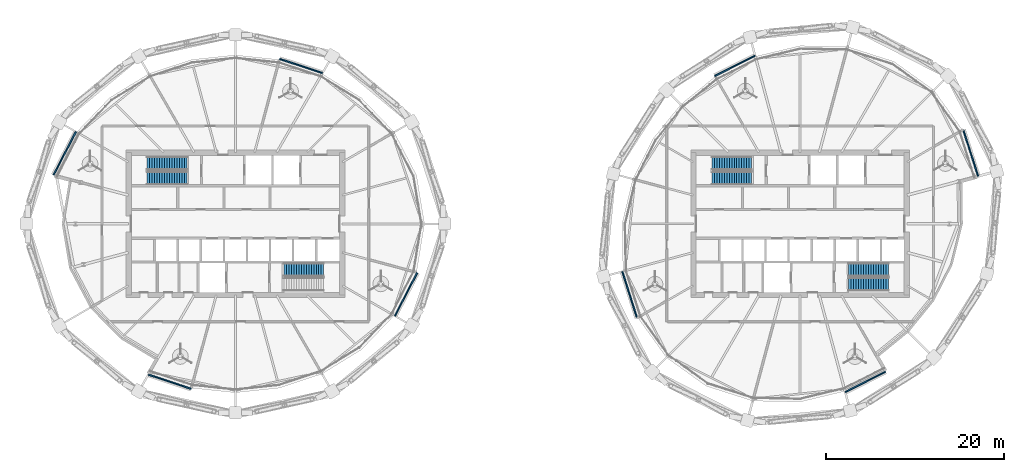
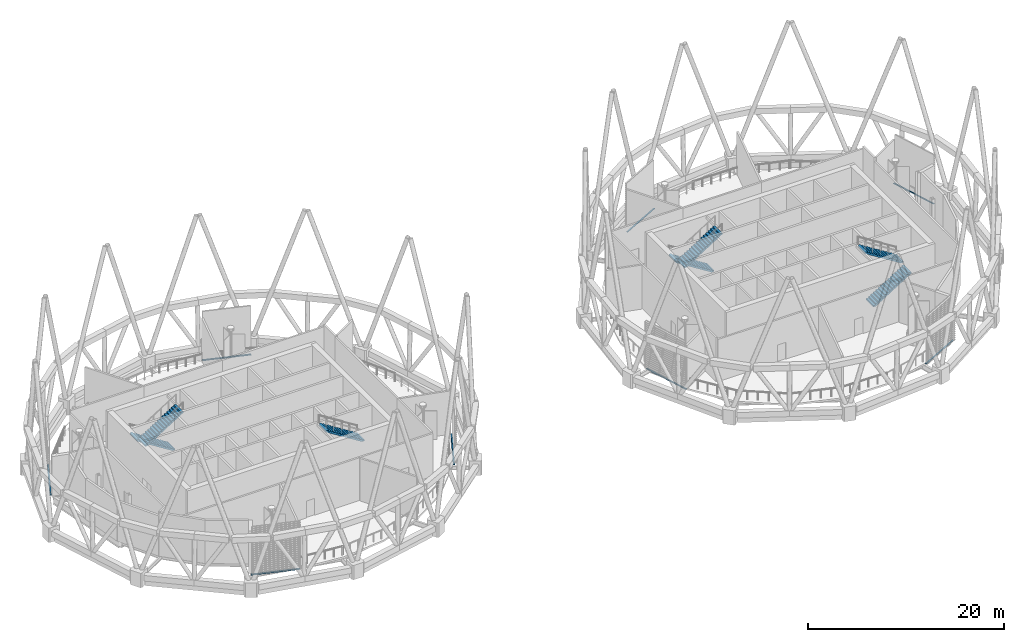
# One storey, part 14 of 22: 8 discrete accessories, 7 stair flights, 4 elements without a shape of their own.
"""IFC4 building model written with IfcOpenShell, lengths in metres."""

import ifcopenshell
import ifcopenshell.guid

model = None  # the IFC model being written
_history = None  # IfcOwnerHistory: only IFC2X3 demands one
_inside = {}  # id of a spatial element -> (the spatial element, [elements in it])
_under = {}  # id of a project, library or spatial element -> (it, [spatial elements below it])
_declared = {}  # id of a project -> (the project, [libraries it declares])
_typed = {}  # id of a type object -> (the type object, [elements of that type])
_made_of = {}  # id of a material, layer set ... -> (it, [elements and type objects made of it])


def new_model(schema):
    """Start an empty IFC model of exactly this schema.

    Asked for "IFC4X3", IfcOpenShell would pick the latest addendum, in which some entities
    have other attributes; the version numbers below select the first issue.
    IFC2X3 requires an IfcOwnerHistory on every rooted entity: one is made here for all.
    """
    global model, _history
    if schema == "IFC4X3":
        model = ifcopenshell.file(schema_version=(4, 3, 0, 0))
    else:
        model = ifcopenshell.file(schema=schema)
    _inside.clear()
    _under.clear()
    _declared.clear()
    _typed.clear()
    _made_of.clear()
    _history = None
    if model.schema == "IFC2X3":
        org = make("IfcOrganization", Name="unknown")
        user = make(
            "IfcPersonAndOrganization",
            ThePerson=make("IfcPerson", FamilyName="unknown"),
            TheOrganization=org,
        )
        app = make(
            "IfcApplication",
            ApplicationDeveloper=org,
            Version="unknown",
            ApplicationFullName="unknown",
            ApplicationIdentifier="unknown",
        )
        _history = make(
            "IfcOwnerHistory",
            OwningUser=user,
            OwningApplication=app,
            ChangeAction="ADDED",
            CreationDate=0,
        )
    return model


def make(cls, **values):
    """One entity of the class cls with the attributes given. An attribute that is None is left unset."""
    return model.create_entity(
        cls, **{name: value for name, value in values.items() if value is not None}
    )


def rooted(cls, **values):
    """An entity with a GlobalId (a new one), such as an element, a storey or a relation."""
    return make(cls, GlobalId=ifcopenshell.guid.new(), OwnerHistory=_history, **values)


def si_unit(unit_type, name, prefix=None):
    """IfcSIUnit, for example si_unit("LENGTHUNIT", "METRE", prefix="MILLI")."""
    return make("IfcSIUnit", UnitType=unit_type, Prefix=prefix, Name=name)


def assignment(units):
    """IfcUnitAssignment: the units of a project."""
    return None if units is None else make("IfcUnitAssignment", Units=units)


def point(xyz):
    """IfcCartesianPoint."""
    return None if xyz is None else make("IfcCartesianPoint", Coordinates=xyz)


def direction(xyz):
    """IfcDirection."""
    return None if xyz is None else make("IfcDirection", DirectionRatios=xyz)


def frame(location, z_axis=None, x_axis=None):
    """IfcAxis2Placement3D, a coordinate frame: its origin and axes. An axis left out is left unset."""
    return make(
        "IfcAxis2Placement3D",
        Location=point(location),
        Axis=direction(z_axis),
        RefDirection=direction(x_axis),
    )


def origin():
    """The frame at (0, 0, 0) with its axes left unset."""
    return frame((0.0, 0.0, 0.0))


def place(relative_to, where):
    """IfcLocalPlacement: puts the frame where relative to a parent placement (None: the world)."""
    return make(
        "IfcLocalPlacement", PlacementRelTo=relative_to, RelativePlacement=where
    )


def context(
    kind, dimensions, precision=None, world=None, true_north=None, identifier=None
):
    """IfcGeometricRepresentationContext, for example the 3D "Model" context."""
    return make(
        "IfcGeometricRepresentationContext",
        ContextIdentifier=identifier,
        ContextType=kind,
        CoordinateSpaceDimension=dimensions,
        Precision=precision,
        WorldCoordinateSystem=world,
        TrueNorth=true_north,
    )


def subcontext(parent, identifier, kind, view, scale=None):
    """IfcGeometricRepresentationSubContext, for example "Body" below "Model"."""
    return make(
        "IfcGeometricRepresentationSubContext",
        ContextIdentifier=identifier,
        ContextType=kind,
        ParentContext=parent,
        TargetScale=scale,
        TargetView=view,
    )


def project(units=None, contexts=None):
    """IfcProject with its units and contexts."""
    return rooted(
        "IfcProject",
        Name="project",
        RepresentationContexts=contexts,
        UnitsInContext=assignment(units),
    )


def spatial(cls, under=None, at=None, **own):
    """A site, building, storey or space (cls), placed at a placement, below another one or the project."""
    s = rooted(cls, ObjectPlacement=at, **own)
    if under is not None:
        _under.setdefault(under.id(), (under, []))[1].append(s)
    return s


def polyline(points):
    """IfcPolyline through the points."""
    return make("IfcPolyline", Points=[point(p) for p in points])


def outline(outer, holes=None, kind="AREA"):
    """IfcArbitraryClosedProfileDef: a profile drawn as a closed curve; with holes, ...WithVoids."""
    if holes is None:
        return make("IfcArbitraryClosedProfileDef", ProfileType=kind, OuterCurve=outer)
    return make(
        "IfcArbitraryProfileDefWithVoids",
        ProfileType=kind,
        OuterCurve=outer,
        InnerCurves=holes,
    )


def extrude(swept, where, along, depth):
    """IfcExtrudedAreaSolid: the profile swept, set in the frame where, extruded along a direction by depth."""
    return make(
        "IfcExtrudedAreaSolid",
        SweptArea=swept,
        Position=where,
        ExtrudedDirection=direction(along),
        Depth=depth,
    )


def shape(context_of_items, identifier, shape_type, items):
    """IfcShapeRepresentation: the items that make up one representation, for example the "Body"."""
    return make(
        "IfcShapeRepresentation",
        ContextOfItems=context_of_items,
        RepresentationIdentifier=identifier,
        RepresentationType=shape_type,
        Items=items,
    )


def material(Name=None, Category=None):
    """IfcMaterial."""
    return make("IfcMaterial", Name=Name, Category=Category)


def made_of(thing, what):
    """Note that an element or type object is made of a material, layer set ...; save() writes the relation."""
    if what is not None:
        _made_of.setdefault(what.id(), (what, []))[1].append(thing)
    return thing


def type_object(cls, material=None, **own):
    """A type object (cls), such as IfcWallType, which elements share."""
    return made_of(rooted(cls, **own), material)


def element(
    cls,
    number,
    at=None,
    inside=None,
    cuts=None,
    type_object=None,
    material=None,
    context=None,
    identifier="Body",
    shape_type=None,
    held_by="IfcProductDefinitionShape",
    body=None,
    shapes=None,
    **own,
):
    """One element of the class cls, such as IfcWall. Its Tag is "e" and its number.

    at: its placement. inside: the storey or other place that contains it. cuts: it is an
    opening in that element (IfcRelVoidsElement). A single representation is given by context,
    identifier, shape_type and body (its items); several are given by shapes. held_by: the class
    of the entity that holds the representations. save() writes the other relations.
    """
    e = rooted(cls, Tag="e%d" % number, ObjectPlacement=at, **own)
    if body is not None:
        shapes = [shape(context, identifier, shape_type, body)]
    if shapes is not None:
        e.Representation = make(held_by, Representations=shapes)
    if inside is not None:
        _inside.setdefault(inside.id(), (inside, []))[1].append(e)
    if cuts is not None:
        rooted(
            "IfcRelVoidsElement", RelatingBuildingElement=cuts, RelatedOpeningElement=e
        )
    if type_object is not None:
        _typed.setdefault(type_object.id(), (type_object, []))[1].append(e)
    return made_of(e, material)


def aggregate(whole, parts):
    """IfcRelAggregates: a whole, such as a stair, and the parts it consists of."""
    return rooted("IfcRelAggregates", RelatingObject=whole, RelatedObjects=parts)


def save(model, path):
    """Write the relations noted so far, then the file.

    IfcRelAggregates (storeys below a building ...), IfcRelContainedInSpatialStructure (elements
    in a storey), IfcRelDefinesByType, IfcRelAssociatesMaterial and IfcRelDeclares: one each for
    every whole, place, type object, material and project.
    """
    for whole, parts in _under.values():
        aggregate(whole, parts)
    for where, things in _inside.values():
        rooted(
            "IfcRelContainedInSpatialStructure",
            RelatedElements=things,
            RelatingStructure=where,
        )
    for kind, things in _typed.values():
        rooted("IfcRelDefinesByType", RelatedObjects=things, RelatingType=kind)
    for what, things in _made_of.values():
        rooted("IfcRelAssociatesMaterial", RelatedObjects=things, RelatingMaterial=what)
    for by, libraries in _declared.values():
        rooted("IfcRelDeclares", RelatingContext=by, RelatedDefinitions=libraries)
    model.write(path)


model = new_model("IFC4")

# Units and contexts
model_context = context("Model", 3, precision=1e-05, world=origin(), true_north=direction((0.0, 1.0)))
body_context = subcontext(model_context, "Body", "Model", "MODEL_VIEW")
ifc_project = project(units=[si_unit("LENGTHUNIT", "METRE"), si_unit("AREAUNIT", "SQUARE_METRE"), si_unit("VOLUMEUNIT", "CUBIC_METRE"), si_unit("PLANEANGLEUNIT", "RADIAN"), si_unit("MASSUNIT", "GRAM", prefix="KILO")], contexts=[model_context])

# Site, building, storey
site_placement = place(None, origin())
site = spatial("IfcSite", under=ifc_project, at=site_placement, CompositionType="ELEMENT")
building_placement = place(site_placement, origin())
building = spatial("IfcBuilding", under=site, at=building_placement, Name="Rimbun Link Towers", CompositionType="ELEMENT")
storey_placement = place(building_placement, frame((0.0, 0.0, 204.5)))
storey = spatial("IfcBuildingStorey", under=building, at=storey_placement, Name="L50", CompositionType="ELEMENT", Elevation=204.5)

# Stair, stair flights
ifc_material_1 = material(Name="Concrete C40/50", Category="concrete")
stair_type = type_object("IfcStairType", Name="Exit stair 6000 rise", PredefinedType="HALF_TURN_STAIR", material=ifc_material_1)
stair_1_placement = place(storey_placement, origin())
stair_1 = element("IfcStair", 1, at=stair_1_placement, inside=storey, type_object=stair_type, Name="L50 EXIT STAIR A", PredefinedType="HALF_TURN_STAIR")
ifc_material_2 = material(Name="Concrete C40/50", Category="concrete")
stair_flight_type = type_object("IfcStairFlightType", Name="Exit stair flight 6000 rise", PredefinedType="STRAIGHT", material=ifc_material_2)
stair_flight_1_placement = place(storey_placement, frame((-37.199951171875, 6.800048828125, 0.0), z_axis=(0.0, 0.0, 1.0), x_axis=(-1.0, 0.0, 0.0)))
stair_flight_1 = element("IfcStairFlight", 2, at=stair_flight_1_placement, type_object=stair_flight_type, Name="ST1 flight 1", NumberOfRisers=17, NumberOfTreads=16, PredefinedType="STRAIGHT", RiserHeight=0.176470588, TreadLength=0.28, context=body_context, shape_type="SweptSolid", body=[
    extrude(outline(polyline([(0.0, 0.0), (0.0, 0.176513671875), (0.280029296875, 0.176513671875), (0.280029296875, 0.35302734375), (0.56005859375, 0.35302734375), (0.56005859375, 0.529296875), (0.840087890625, 0.529296875), (0.840087890625, 0.705810546875), (1.1201171875, 0.705810546875), (1.1201171875, 0.88232421875), (1.39990234375, 0.88232421875), (1.39990234375, 1.058837890625), (1.679931640625, 1.058837890625), (1.679931640625, 1.2353515625), (1.9599609375, 1.2353515625), (1.9599609375, 1.411865234375), (2.239990234375, 1.411865234375), (2.239990234375, 1.588134765625), (2.52001953125, 1.588134765625), (2.52001953125, 1.7646484375), (2.800048828125, 1.7646484375), (2.800048828125, 1.941162109375), (3.080078125, 1.941162109375), (3.080078125, 2.11767578125), (3.360107421875, 2.11767578125), (3.360107421875, 2.294189453125), (3.639892578125, 2.294189453125), (3.639892578125, 2.470703125), (3.919921875, 2.470703125), (3.919921875, 2.64697265625), (4.199951171875, 2.64697265625), (4.199951171875, 2.823486328125), (4.47998046875, 2.823486328125), (4.47998046875, 3.0), (4.47998046875, 2.646240234375), (0.280029296875, 0.0), (0.0, 0.0)])), frame((0.0, 0.75, 0.0), z_axis=(0.0, -1.0, 0.0), x_axis=(1.0, 0.0, 0.0)), (0.0, 0.0, 1.0), 1.5),
])
stair_flight_2_placement = place(storey_placement, frame((-41.679931640625, 5.14990234375, 3.0), z_axis=(0.0, 0.0, 1.0), x_axis=(1.0, 0.0, 0.0)))
stair_flight_2 = element("IfcStairFlight", 3, at=stair_flight_2_placement, type_object=stair_flight_type, Name="ST1 flight 2", NumberOfRisers=17, NumberOfTreads=16, PredefinedType="STRAIGHT", RiserHeight=0.176470588, TreadLength=0.28, context=body_context, shape_type="SweptSolid", body=[
    extrude(outline(polyline([(0.0, 0.0), (0.0, 0.176513671875), (0.280029296875, 0.176513671875), (0.280029296875, 0.35302734375), (0.56005859375, 0.35302734375), (0.56005859375, 0.529296875), (0.840087890625, 0.529296875), (0.840087890625, 0.705810546875), (1.1201171875, 0.705810546875), (1.1201171875, 0.88232421875), (1.39990234375, 0.88232421875), (1.39990234375, 1.058837890625), (1.679931640625, 1.058837890625), (1.679931640625, 1.2353515625), (1.9599609375, 1.2353515625), (1.9599609375, 1.411865234375), (2.239990234375, 1.411865234375), (2.239990234375, 1.588134765625), (2.52001953125, 1.588134765625), (2.52001953125, 1.7646484375), (2.800048828125, 1.7646484375), (2.800048828125, 1.941162109375), (3.080078125, 1.941162109375), (3.080078125, 2.11767578125), (3.360107421875, 2.11767578125), (3.360107421875, 2.294189453125), (3.639892578125, 2.294189453125), (3.639892578125, 2.470703125), (3.919921875, 2.470703125), (3.919921875, 2.64697265625), (4.199951171875, 2.64697265625), (4.199951171875, 2.823486328125), (4.47998046875, 2.823486328125), (4.47998046875, 3.0), (4.47998046875, 2.646240234375), (0.280029296875, 0.0), (0.0, 0.0)])), frame((0.0, 0.75, 0.0), z_axis=(0.0, -1.0, 0.0), x_axis=(1.0, 0.0, 0.0)), (0.0, 0.0, 1.0), 1.5),
])
aggregate(stair_1, [stair_flight_1, stair_flight_2])

# Stair, stair flight
stair_2_placement = place(storey_placement, origin())
stair_2 = element("IfcStair", 4, at=stair_2_placement, inside=storey, type_object=stair_type, Name="L50 EXIT STAIR B", PredefinedType="HALF_TURN_STAIR")
stair_flight_3_placement = place(storey_placement, frame((-21.820068359375, -5.14990234375, 3.0), z_axis=(0.0, 0.0, 1.0), x_axis=(-1.0, 0.0, 0.0)))
stair_flight_3 = element("IfcStairFlight", 5, at=stair_flight_3_placement, type_object=stair_flight_type, Name="ST2 flight 2", NumberOfRisers=17, NumberOfTreads=16, PredefinedType="STRAIGHT", RiserHeight=0.176470588, TreadLength=0.28, context=body_context, shape_type="SweptSolid", body=[
    extrude(outline(polyline([(0.0, 0.0), (0.0, 0.176513671875), (0.280029296875, 0.176513671875), (0.280029296875, 0.35302734375), (0.56005859375, 0.35302734375), (0.56005859375, 0.529296875), (0.840087890625, 0.529296875), (0.840087890625, 0.705810546875), (1.1201171875, 0.705810546875), (1.1201171875, 0.88232421875), (1.39990234375, 0.88232421875), (1.39990234375, 1.058837890625), (1.679931640625, 1.058837890625), (1.679931640625, 1.2353515625), (1.9599609375, 1.2353515625), (1.9599609375, 1.411865234375), (2.239990234375, 1.411865234375), (2.239990234375, 1.588134765625), (2.52001953125, 1.588134765625), (2.52001953125, 1.7646484375), (2.800048828125, 1.7646484375), (2.800048828125, 1.941162109375), (3.080078125, 1.941162109375), (3.080078125, 2.11767578125), (3.360107421875, 2.11767578125), (3.360107421875, 2.294189453125), (3.639892578125, 2.294189453125), (3.639892578125, 2.470703125), (3.919921875, 2.470703125), (3.919921875, 2.64697265625), (4.199951171875, 2.64697265625), (4.199951171875, 2.823486328125), (4.47998046875, 2.823486328125), (4.47998046875, 3.0), (4.47998046875, 2.646240234375), (0.280029296875, 0.0), (0.0, 0.0)])), frame((0.0, 0.75, 0.0), z_axis=(0.0, -1.0, 0.0), x_axis=(1.0, 0.0, 0.0)), (0.0, 0.0, 1.0), 1.5),
])
aggregate(stair_2, [stair_flight_3])

# Stair, stair flights
stair_3_placement = place(storey_placement, origin())
stair_3 = element("IfcStair", 6, at=stair_3_placement, inside=storey, type_object=stair_type, Name="L50 EXIT STAIR A", PredefinedType="HALF_TURN_STAIR")
stair_flight_4_placement = place(storey_placement, frame((26.300048828125, 6.800048828125, 0.0), z_axis=(0.0, 0.0, 1.0), x_axis=(-1.0, 0.0, 0.0)))
stair_flight_4 = element("IfcStairFlight", 7, at=stair_flight_4_placement, type_object=stair_flight_type, Name="ST3 flight 1", NumberOfRisers=17, NumberOfTreads=16, PredefinedType="STRAIGHT", RiserHeight=0.176470588, TreadLength=0.28, context=body_context, shape_type="SweptSolid", body=[
    extrude(outline(polyline([(0.0, 0.0), (0.0, 0.176513671875), (0.280029296875, 0.176513671875), (0.280029296875, 0.35302734375), (0.56005859375, 0.35302734375), (0.56005859375, 0.529296875), (0.840087890625, 0.529296875), (0.840087890625, 0.705810546875), (1.1201171875, 0.705810546875), (1.1201171875, 0.88232421875), (1.39990234375, 0.88232421875), (1.39990234375, 1.058837890625), (1.679931640625, 1.058837890625), (1.679931640625, 1.2353515625), (1.9599609375, 1.2353515625), (1.9599609375, 1.411865234375), (2.239990234375, 1.411865234375), (2.239990234375, 1.588134765625), (2.52001953125, 1.588134765625), (2.52001953125, 1.7646484375), (2.800048828125, 1.7646484375), (2.800048828125, 1.941162109375), (3.080078125, 1.941162109375), (3.080078125, 2.11767578125), (3.360107421875, 2.11767578125), (3.360107421875, 2.294189453125), (3.639892578125, 2.294189453125), (3.639892578125, 2.470703125), (3.919921875, 2.470703125), (3.919921875, 2.64697265625), (4.199951171875, 2.64697265625), (4.199951171875, 2.823486328125), (4.47998046875, 2.823486328125), (4.47998046875, 3.0), (4.47998046875, 2.646240234375), (0.280029296875, 0.0), (0.0, 0.0)])), frame((0.0, 0.75, 0.0), z_axis=(0.0, -1.0, 0.0), x_axis=(1.0, 0.0, 0.0)), (0.0, 0.0, 1.0), 1.5),
])
stair_flight_5_placement = place(storey_placement, frame((21.820068359375, 5.14990234375, 3.0), z_axis=(0.0, 0.0, 1.0), x_axis=(1.0, 0.0, 0.0)))
stair_flight_5 = element("IfcStairFlight", 8, at=stair_flight_5_placement, type_object=stair_flight_type, Name="ST3 flight 2", NumberOfRisers=17, NumberOfTreads=16, PredefinedType="STRAIGHT", RiserHeight=0.176470588, TreadLength=0.28, context=body_context, shape_type="SweptSolid", body=[
    extrude(outline(polyline([(0.0, 0.0), (0.0, 0.176513671875), (0.280029296875, 0.176513671875), (0.280029296875, 0.35302734375), (0.56005859375, 0.35302734375), (0.56005859375, 0.529296875), (0.840087890625, 0.529296875), (0.840087890625, 0.705810546875), (1.1201171875, 0.705810546875), (1.1201171875, 0.88232421875), (1.39990234375, 0.88232421875), (1.39990234375, 1.058837890625), (1.679931640625, 1.058837890625), (1.679931640625, 1.2353515625), (1.9599609375, 1.2353515625), (1.9599609375, 1.411865234375), (2.239990234375, 1.411865234375), (2.239990234375, 1.588134765625), (2.52001953125, 1.588134765625), (2.52001953125, 1.7646484375), (2.800048828125, 1.7646484375), (2.800048828125, 1.941162109375), (3.080078125, 1.941162109375), (3.080078125, 2.11767578125), (3.360107421875, 2.11767578125), (3.360107421875, 2.294189453125), (3.639892578125, 2.294189453125), (3.639892578125, 2.470703125), (3.919921875, 2.470703125), (3.919921875, 2.64697265625), (4.199951171875, 2.64697265625), (4.199951171875, 2.823486328125), (4.47998046875, 2.823486328125), (4.47998046875, 3.0), (4.47998046875, 2.646240234375), (0.280029296875, 0.0), (0.0, 0.0)])), frame((0.0, 0.75, 0.0), z_axis=(0.0, -1.0, 0.0), x_axis=(1.0, 0.0, 0.0)), (0.0, 0.0, 1.0), 1.5),
])
aggregate(stair_3, [stair_flight_4, stair_flight_5])

stair_4_placement = place(storey_placement, origin())
stair_4 = element("IfcStair", 9, at=stair_4_placement, inside=storey, type_object=stair_type, Name="L50 EXIT STAIR B", PredefinedType="HALF_TURN_STAIR")
stair_flight_6_placement = place(storey_placement, frame((37.199951171875, -6.800048828125, 0.0), z_axis=(0.0, 0.0, 1.0), x_axis=(1.0, 0.0, 0.0)))
stair_flight_6 = element("IfcStairFlight", 10, at=stair_flight_6_placement, type_object=stair_flight_type, Name="ST4 flight 1", NumberOfRisers=17, NumberOfTreads=16, PredefinedType="STRAIGHT", RiserHeight=0.176470588, TreadLength=0.28, context=body_context, shape_type="SweptSolid", body=[
    extrude(outline(polyline([(0.0, 0.0), (0.0, 0.176513671875), (0.280029296875, 0.176513671875), (0.280029296875, 0.35302734375), (0.56005859375, 0.35302734375), (0.56005859375, 0.529296875), (0.840087890625, 0.529296875), (0.840087890625, 0.705810546875), (1.1201171875, 0.705810546875), (1.1201171875, 0.88232421875), (1.39990234375, 0.88232421875), (1.39990234375, 1.058837890625), (1.679931640625, 1.058837890625), (1.679931640625, 1.2353515625), (1.9599609375, 1.2353515625), (1.9599609375, 1.411865234375), (2.239990234375, 1.411865234375), (2.239990234375, 1.588134765625), (2.52001953125, 1.588134765625), (2.52001953125, 1.7646484375), (2.800048828125, 1.7646484375), (2.800048828125, 1.941162109375), (3.080078125, 1.941162109375), (3.080078125, 2.11767578125), (3.360107421875, 2.11767578125), (3.360107421875, 2.294189453125), (3.639892578125, 2.294189453125), (3.639892578125, 2.470703125), (3.919921875, 2.470703125), (3.919921875, 2.64697265625), (4.199951171875, 2.64697265625), (4.199951171875, 2.823486328125), (4.47998046875, 2.823486328125), (4.47998046875, 3.0), (4.47998046875, 2.646240234375), (0.280029296875, 0.0), (0.0, 0.0)])), frame((0.0, 0.75, 0.0), z_axis=(0.0, -1.0, 0.0), x_axis=(1.0, 0.0, 0.0)), (0.0, 0.0, 1.0), 1.5),
])
stair_flight_7_placement = place(storey_placement, frame((41.679931640625, -5.14990234375, 3.0), z_axis=(0.0, 0.0, 1.0), x_axis=(-1.0, 0.0, 0.0)))
stair_flight_7 = element("IfcStairFlight", 11, at=stair_flight_7_placement, type_object=stair_flight_type, Name="ST4 flight 2", NumberOfRisers=17, NumberOfTreads=16, PredefinedType="STRAIGHT", RiserHeight=0.176470588, TreadLength=0.28, context=body_context, shape_type="SweptSolid", body=[
    extrude(outline(polyline([(0.0, 0.0), (0.0, 0.176513671875), (0.280029296875, 0.176513671875), (0.280029296875, 0.35302734375), (0.56005859375, 0.35302734375), (0.56005859375, 0.529296875), (0.840087890625, 0.529296875), (0.840087890625, 0.705810546875), (1.1201171875, 0.705810546875), (1.1201171875, 0.88232421875), (1.39990234375, 0.88232421875), (1.39990234375, 1.058837890625), (1.679931640625, 1.058837890625), (1.679931640625, 1.2353515625), (1.9599609375, 1.2353515625), (1.9599609375, 1.411865234375), (2.239990234375, 1.411865234375), (2.239990234375, 1.588134765625), (2.52001953125, 1.588134765625), (2.52001953125, 1.7646484375), (2.800048828125, 1.7646484375), (2.800048828125, 1.941162109375), (3.080078125, 1.941162109375), (3.080078125, 2.11767578125), (3.360107421875, 2.11767578125), (3.360107421875, 2.294189453125), (3.639892578125, 2.294189453125), (3.639892578125, 2.470703125), (3.919921875, 2.470703125), (3.919921875, 2.64697265625), (4.199951171875, 2.64697265625), (4.199951171875, 2.823486328125), (4.47998046875, 2.823486328125), (4.47998046875, 3.0), (4.47998046875, 2.646240234375), (0.280029296875, 0.0), (0.0, 0.0)])), frame((0.0, 0.75, 0.0), z_axis=(0.0, -1.0, 0.0), x_axis=(1.0, 0.0, 0.0)), (0.0, 0.0, 1.0), 1.5),
])
aggregate(stair_4, [stair_flight_6, stair_flight_7])

# Discrete accessories
discrete_accessory_1_placement = place(storey_placement, frame((0.0, 0.0, -0.06005859375)))
element("IfcDiscreteAccessory", 12, at=discrete_accessory_1_placement, inside=storey, Name="Louvre slot blade sill plate", PredefinedType="BRACKET", context=body_context, shape_type="SweptSolid", body=[
    extrude(outline(polyline([(-26.800537109375, 18.471435546875), (-26.749267578125, 18.626220703125), (-21.951904296875, 17.036376953125), (-22.00341796875, 16.881591796875), (-26.800537109375, 18.471435546875)])), origin(), (0.0, 0.0, 1.0), 0.06005859375),
])
discrete_accessory_2_placement = place(storey_placement, frame((0.0, 0.0, -0.06005859375)))
element("IfcDiscreteAccessory", 13, at=discrete_accessory_2_placement, inside=storey, Name="Louvre slot blade sill plate", PredefinedType="BRACKET", context=body_context, shape_type="SweptSolid", body=[
    extrude(outline(polyline([(-52.1240234375, 5.459228515625), (-52.268798828125, 5.5341796875), (-49.757568359375, 10.387939453125), (-49.61279296875, 10.31298828125), (-52.1240234375, 5.459228515625)])), origin(), (0.0, 0.0, 1.0), 0.06005859375),
])
discrete_accessory_3_placement = place(storey_placement, frame((0.0, 0.0, -0.06005859375)))
element("IfcDiscreteAccessory", 14, at=discrete_accessory_3_placement, inside=storey, Name="Louvre slot blade sill plate", PredefinedType="BRACKET", context=body_context, shape_type="SweptSolid", body=[
    extrude(outline(polyline([(-36.699462890625, -18.471435546875), (-36.750732421875, -18.626220703125), (-41.548095703125, -17.036376953125), (-41.49658203125, -16.881591796875), (-36.699462890625, -18.471435546875)])), origin(), (0.0, 0.0, 1.0), 0.06005859375),
])
discrete_accessory_4_placement = place(storey_placement, frame((0.0, 0.0, -0.06005859375)))
element("IfcDiscreteAccessory", 15, at=discrete_accessory_4_placement, inside=storey, Name="Louvre slot blade sill plate", PredefinedType="BRACKET", context=body_context, shape_type="SweptSolid", body=[
    extrude(outline(polyline([(-11.3759765625, -5.459228515625), (-11.231201171875, -5.5341796875), (-13.742431640625, -10.387939453125), (-13.88720703125, -10.31298828125), (-11.3759765625, -5.459228515625)])), origin(), (0.0, 0.0, 1.0), 0.06005859375),
])
discrete_accessory_5_placement = place(storey_placement, frame((0.0, 0.0, -0.06005859375)))
element("IfcDiscreteAccessory", 16, at=discrete_accessory_5_placement, inside=storey, Name="Louvre slot blade sill plate", PredefinedType="BRACKET", context=body_context, shape_type="SweptSolid", body=[
    extrude(outline(polyline([(22.1884765625, 16.56103515625), (22.115234375, 16.706787109375), (26.631591796875, 18.974853515625), (26.704833984375, 18.8291015625), (22.1884765625, 16.56103515625)])), origin(), (0.0, 0.0, 1.0), 0.06005859375),
])
discrete_accessory_6_placement = place(storey_placement, frame((0.0, 0.0, -0.06005859375)))
element("IfcDiscreteAccessory", 17, at=discrete_accessory_6_placement, inside=storey, Name="Louvre slot blade sill plate", PredefinedType="BRACKET", context=body_context, shape_type="SweptSolid", body=[
    extrude(outline(polyline([(13.48291015625, -10.54638671875), (13.32763671875, -10.595703125), (11.67138671875, -5.3876953125), (11.826904296875, -5.33837890625), (13.48291015625, -10.54638671875)])), origin(), (0.0, 0.0, 1.0), 0.06005859375),
])
discrete_accessory_7_placement = place(storey_placement, frame((0.0, 0.0, -0.06005859375)))
element("IfcDiscreteAccessory", 18, at=discrete_accessory_7_placement, inside=storey, Name="Louvre slot blade sill plate", PredefinedType="BRACKET", context=body_context, shape_type="SweptSolid", body=[
    extrude(outline(polyline([(41.3115234375, -16.56103515625), (41.384765625, -16.706787109375), (36.868408203125, -18.974853515625), (36.795166015625, -18.8291015625), (41.3115234375, -16.56103515625)])), origin(), (0.0, 0.0, 1.0), 0.06005859375),
])
discrete_accessory_8_placement = place(storey_placement, frame((0.0, 0.0, -0.06005859375)))
element("IfcDiscreteAccessory", 19, at=discrete_accessory_8_placement, inside=storey, Name="Louvre slot blade sill plate", PredefinedType="BRACKET", context=body_context, shape_type="SweptSolid", body=[
    extrude(outline(polyline([(50.01708984375, 10.54638671875), (50.17236328125, 10.595703125), (51.82861328125, 5.3876953125), (51.673095703125, 5.33837890625), (50.01708984375, 10.54638671875)])), origin(), (0.0, 0.0, 1.0), 0.06005859375),
])

save(model, "model.ifc")
